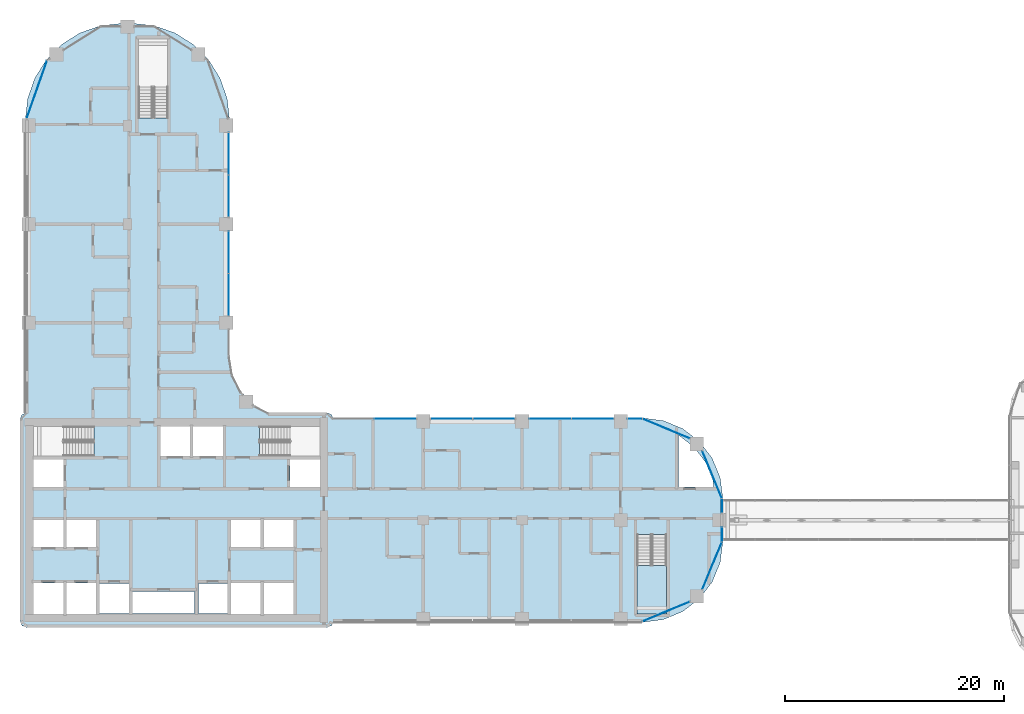
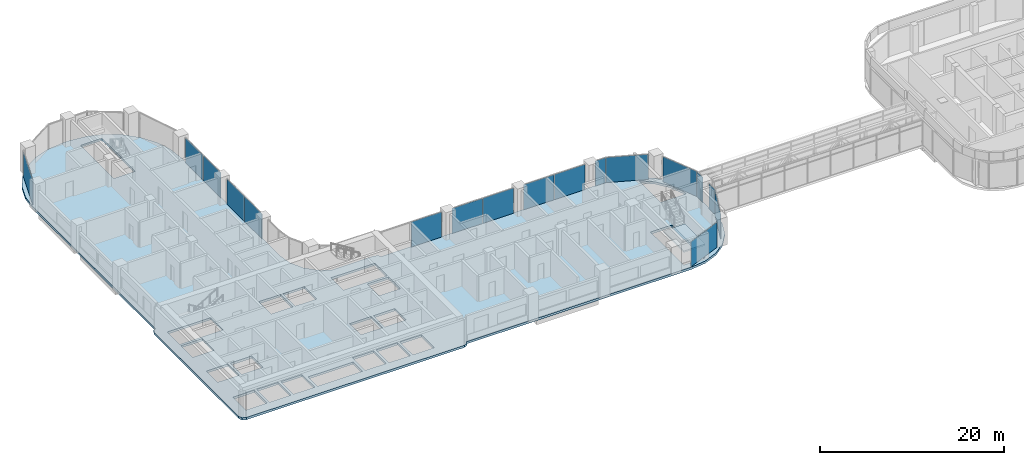
# One storey, part 14 of 33: 17 plates, 2 slabs, 14 elements without a shape of their own.
"""IFC4 building model written with IfcOpenShell, lengths in metres."""

from ifc_helpers import new_model, si_unit, direction, frame, origin, origin_2d, place, context, subcontext, project, spatial, polyline, rectangle, outline, extrude, material, layer, layer_set, type_object, element, aggregate, save


model = new_model("IFC4")

# Units and contexts
model_context = context("Model", 3, precision=1e-05, world=origin(), true_north=direction((0.0, 1.0)))
body_context = subcontext(model_context, "Body", "Model", "MODEL_VIEW")
ifc_project = project(units=[si_unit("LENGTHUNIT", "METRE"), si_unit("AREAUNIT", "SQUARE_METRE"), si_unit("VOLUMEUNIT", "CUBIC_METRE"), si_unit("PLANEANGLEUNIT", "RADIAN"), si_unit("MASSUNIT", "GRAM", prefix="KILO")], contexts=[model_context])

# Site, building, storey
site_placement = place(None, origin())
site = spatial("IfcSite", under=ifc_project, at=site_placement, CompositionType="ELEMENT")
building_placement = place(site_placement, origin())
building = spatial("IfcBuilding", under=site, at=building_placement, Name="Ogive Portal Towers", CompositionType="ELEMENT")
storey_placement = place(building_placement, frame((0.0, 0.0, 101.89990234375)))
storey = spatial("IfcBuildingStorey", under=building, at=storey_placement, Name="L24", CompositionType="ELEMENT", Elevation=101.89990234375)

# Curtain wall, plates
ifc_material_1 = material(Name="Glass, clear low-iron insulated glazing", Category="glass")
curtain_wall_type = type_object("IfcCurtainWallType", Name="CW FRONT RIBBON 4500", PredefinedType="NOTDEFINED", material=ifc_material_1)
curtain_wall_1_placement = place(storey_placement, origin())
curtain_wall_1 = element("IfcCurtainWall", 1, at=curtain_wall_1_placement, inside=storey, type_object=curtain_wall_type, Name="A:L24:f06:cw0~1", PredefinedType="NOTDEFINED")
ifc_layer_1 = layer(ifc_material_1, 0.028076171875)
ifc_layer_set_1 = layer_set([ifc_layer_1], Name="CW PANEL IGU 28")
plate_type = type_object("IfcPlateType", Name="CW PANEL IGU 28", PredefinedType="CURTAIN_PANEL", material=ifc_layer_set_1)
plate_1_placement = place(storey_placement, frame((49.739990234375, 51.0625, 0.0), z_axis=(0.0, 0.0, 1.0), x_axis=(0.0, 1.0, 0.0)))
plate_1 = element("IfcPlate", 2, at=plate_1_placement, type_object=plate_type, Name="panel", PredefinedType="CURTAIN_PANEL", context=body_context, shape_type="SweptSolid", body=[
    extrude(rectangle(XDim=3.81494140625, YDim=0.028076171875, at=origin_2d()), origin(), (0.0, 0.0, 1.0), 3.340087890625),
])
plate_2_placement = place(storey_placement, frame((49.739990234375, 54.9375, 0.0), z_axis=(0.0, 0.0, 1.0), x_axis=(0.0, 1.0, 0.0)))
plate_2 = element("IfcPlate", 3, at=plate_2_placement, type_object=plate_type, Name="panel", PredefinedType="CURTAIN_PANEL", context=body_context, shape_type="SweptSolid", body=[
    extrude(rectangle(XDim=3.81494140625, YDim=0.028076171875, at=origin_2d()), origin(), (0.0, 0.0, 1.0), 3.340087890625),
])
aggregate(curtain_wall_1, [plate_1, plate_2])

curtain_wall_2_placement = place(storey_placement, origin())
curtain_wall_2 = element("IfcCurtainWall", 4, at=curtain_wall_2_placement, inside=storey, type_object=curtain_wall_type, Name="A:L24:f06:cw0~2", PredefinedType="NOTDEFINED")
plate_3_placement = place(storey_placement, frame((49.739990234375, 60.0625, 0.0), z_axis=(0.0, 0.0, 1.0), x_axis=(0.0, 1.0, 0.0)))
plate_3 = element("IfcPlate", 5, at=plate_3_placement, type_object=plate_type, Name="panel", PredefinedType="CURTAIN_PANEL", context=body_context, shape_type="SweptSolid", body=[
    extrude(rectangle(XDim=3.81494140625, YDim=0.028076171875, at=origin_2d()), origin(), (0.0, 0.0, 1.0), 3.340087890625),
])
plate_4_placement = place(storey_placement, frame((49.739990234375, 63.9375, 0.0), z_axis=(0.0, 0.0, 1.0), x_axis=(0.0, 1.0, 0.0)))
plate_4 = element("IfcPlate", 6, at=plate_4_placement, type_object=plate_type, Name="panel", PredefinedType="CURTAIN_PANEL", context=body_context, shape_type="SweptSolid", body=[
    extrude(rectangle(XDim=3.81494140625, YDim=0.028076171875, at=origin_2d()), origin(), (0.0, 0.0, 1.0), 3.340087890625),
])
aggregate(curtain_wall_2, [plate_3, plate_4])

# Curtain wall, plate
curtain_wall_3_placement = place(storey_placement, origin())
curtain_wall_3 = element("IfcCurtainWall", 7, at=curtain_wall_3_placement, inside=storey, type_object=curtain_wall_type, Name="A:L24:f23:cw0~0", PredefinedType="NOTDEFINED")
plate_5_placement = place(storey_placement, frame((94.739990234375, 29.195556640625, 0.0), z_axis=(0.0, 0.0, 1.0), x_axis=(0.0, 1.0, 0.0)))
plate_5 = element("IfcPlate", 8, at=plate_5_placement, type_object=plate_type, Name="panel", PredefinedType="CURTAIN_PANEL", context=body_context, shape_type="SweptSolid", body=[
    extrude(rectangle(XDim=1.299072265625, YDim=0.028076171875, at=origin_2d()), origin(), (0.0, 0.0, 1.0), 3.340087890625),
])
aggregate(curtain_wall_3, [plate_5])

curtain_wall_4_placement = place(storey_placement, origin())
curtain_wall_4 = element("IfcCurtainWall", 9, at=curtain_wall_4_placement, inside=storey, type_object=curtain_wall_type, Name="A:L24:f23:cw0~1", PredefinedType="NOTDEFINED")
plate_6_placement = place(storey_placement, frame((94.739990234375, 31.804443359375, 0.0), z_axis=(0.0, 0.0, 1.0), x_axis=(0.0, 1.0, 0.0)))
plate_6 = element("IfcPlate", 10, at=plate_6_placement, type_object=plate_type, Name="panel", PredefinedType="CURTAIN_PANEL", context=body_context, shape_type="SweptSolid", body=[
    extrude(rectangle(XDim=1.299072265625, YDim=0.028076171875, at=origin_2d()), origin(), (0.0, 0.0, 1.0), 3.340087890625),
])
aggregate(curtain_wall_4, [plate_6])

curtain_wall_5_placement = place(storey_placement, origin())
curtain_wall_5 = element("IfcCurtainWall", 11, at=curtain_wall_5_placement, inside=storey, type_object=curtain_wall_type, Name="A:L24:f26:cw0~0", PredefinedType="NOTDEFINED")
plate_7_placement = place(storey_placement, frame((86.804443359375, 39.739990234375, 0.0), z_axis=(0.0, 0.0, 1.0), x_axis=(-1.0, 0.0, 0.0)))
plate_7 = element("IfcPlate", 12, at=plate_7_placement, type_object=plate_type, Name="panel", PredefinedType="CURTAIN_PANEL", context=body_context, shape_type="SweptSolid", body=[
    extrude(rectangle(XDim=1.299072265625, YDim=0.028076171875, at=origin_2d()), origin(), (0.0, 0.0, 1.0), 3.340087890625),
])
aggregate(curtain_wall_5, [plate_7])

# Curtain wall, plates
curtain_wall_6_placement = place(storey_placement, origin())
curtain_wall_6 = element("IfcCurtainWall", 13, at=curtain_wall_6_placement, inside=storey, type_object=curtain_wall_type, Name="A:L24:f26:cw0~1", PredefinedType="NOTDEFINED")
plate_8_placement = place(storey_placement, frame((82.9375, 39.739990234375, 0.0), z_axis=(0.0, 0.0, 1.0), x_axis=(-1.0, 0.0, 0.0)))
plate_8 = element("IfcPlate", 14, at=plate_8_placement, type_object=plate_type, Name="panel", PredefinedType="CURTAIN_PANEL", context=body_context, shape_type="SweptSolid", body=[
    extrude(rectangle(XDim=3.81494140625, YDim=0.028076171875, at=origin_2d()), origin(), (0.0, 0.0, 1.0), 3.340087890625),
])
plate_9_placement = place(storey_placement, frame((79.0625, 39.739990234375, 0.0), z_axis=(0.0, 0.0, 1.0), x_axis=(-1.0, 0.0, 0.0)))
plate_9 = element("IfcPlate", 15, at=plate_9_placement, type_object=plate_type, Name="panel", PredefinedType="CURTAIN_PANEL", context=body_context, shape_type="SweptSolid", body=[
    extrude(rectangle(XDim=3.81494140625, YDim=0.028076171875, at=origin_2d()), origin(), (0.0, 0.0, 1.0), 3.340087890625),
])
aggregate(curtain_wall_6, [plate_8, plate_9])

curtain_wall_7_placement = place(storey_placement, origin())
curtain_wall_7 = element("IfcCurtainWall", 16, at=curtain_wall_7_placement, inside=storey, type_object=curtain_wall_type, Name="A:L24:f26:cw0~2", PredefinedType="NOTDEFINED")
plate_10_placement = place(storey_placement, frame((73.9375, 39.739990234375, 0.0), z_axis=(0.0, 0.0, 1.0), x_axis=(-1.0, 0.0, 0.0)))
plate_10 = element("IfcPlate", 17, at=plate_10_placement, type_object=plate_type, Name="panel", PredefinedType="CURTAIN_PANEL", context=body_context, shape_type="SweptSolid", body=[
    extrude(rectangle(XDim=3.81494140625, YDim=0.028076171875, at=origin_2d()), origin(), (0.0, 0.0, 1.0), 3.340087890625),
])
plate_11_placement = place(storey_placement, frame((70.0625, 39.739990234375, 0.0), z_axis=(0.0, 0.0, 1.0), x_axis=(-1.0, 0.0, 0.0)))
plate_11 = element("IfcPlate", 18, at=plate_11_placement, type_object=plate_type, Name="panel", PredefinedType="CURTAIN_PANEL", context=body_context, shape_type="SweptSolid", body=[
    extrude(rectangle(XDim=3.81494140625, YDim=0.028076171875, at=origin_2d()), origin(), (0.0, 0.0, 1.0), 3.340087890625),
])
aggregate(curtain_wall_7, [plate_10, plate_11])

# Curtain wall, plate
curtain_wall_8_placement = place(storey_placement, origin())
curtain_wall_8 = element("IfcCurtainWall", 19, at=curtain_wall_8_placement, inside=storey, type_object=curtain_wall_type, Name="A:L24:f26:cw0~3", PredefinedType="NOTDEFINED")
plate_12_placement = place(storey_placement, frame((64.9375, 39.739990234375, 0.0), z_axis=(0.0, 0.0, 1.0), x_axis=(-1.0, 0.0, 0.0)))
plate_12 = element("IfcPlate", 20, at=plate_12_placement, type_object=plate_type, Name="panel", PredefinedType="CURTAIN_PANEL", context=body_context, shape_type="SweptSolid", body=[
    extrude(rectangle(XDim=3.81494140625, YDim=0.028076171875, at=origin_2d()), origin(), (0.0, 0.0, 1.0), 3.340087890625),
])
aggregate(curtain_wall_8, [plate_12])

curtain_wall_9_placement = place(storey_placement, origin())
curtain_wall_9 = element("IfcCurtainWall", 21, at=curtain_wall_9_placement, inside=storey, type_object=curtain_wall_type, Name="A:L24:f07:cwa~3", PredefinedType="NOTDEFINED")
plate_13_placement = place(storey_placement, frame((32.239501953125, 69.78564453125, 0.0), z_axis=(0.0, 0.0, 1.0), x_axis=(-0.33027906196, -0.943883330307, 0.0)))
plate_13 = element("IfcPlate", 22, at=plate_13_placement, type_object=plate_type, Name="panel", PredefinedType="CURTAIN_PANEL", context=body_context, shape_type="SweptSolid", body=[
    extrude(rectangle(XDim=5.57763671875, YDim=0.028076171875, at=origin_2d()), origin(), (0.0, 0.0, 1.0), 3.340087890625),
])
aggregate(curtain_wall_9, [plate_13])

curtain_wall_10_placement = place(storey_placement, origin())
curtain_wall_10 = element("IfcCurtainWall", 23, at=curtain_wall_10_placement, inside=storey, type_object=curtain_wall_type, Name="A:L24:f21:cwa~0", PredefinedType="NOTDEFINED")
plate_14_placement = place(storey_placement, frame((89.654541015625, 22.158935546875, 0.0), z_axis=(0.0, 0.0, 1.0), x_axis=(0.923879532511, 0.382683432365, 0.0)))
plate_14 = element("IfcPlate", 24, at=plate_14_placement, type_object=plate_type, Name="panel", PredefinedType="CURTAIN_PANEL", context=body_context, shape_type="SweptSolid", body=[
    extrude(rectangle(XDim=4.638671875, YDim=0.028076171875, at=origin_2d()), origin(), (0.0, 0.0, 1.0), 3.340087890625),
])
aggregate(curtain_wall_10, [plate_14])

curtain_wall_11_placement = place(storey_placement, origin())
curtain_wall_11 = element("IfcCurtainWall", 25, at=curtain_wall_11_placement, inside=storey, type_object=curtain_wall_type, Name="A:L24:f21:cwa~1", PredefinedType="NOTDEFINED")
plate_15_placement = place(storey_placement, frame((93.841064453125, 26.345458984375, 0.0), z_axis=(0.0, 0.0, 1.0), x_axis=(0.382683432365, 0.923879532511, 0.0)))
plate_15 = element("IfcPlate", 26, at=plate_15_placement, type_object=plate_type, Name="panel", PredefinedType="CURTAIN_PANEL", context=body_context, shape_type="SweptSolid", body=[
    extrude(rectangle(XDim=4.638671875, YDim=0.028076171875, at=origin_2d()), origin(), (0.0, 0.0, 1.0), 3.340087890625),
])
aggregate(curtain_wall_11, [plate_15])

curtain_wall_12_placement = place(storey_placement, origin())
curtain_wall_12 = element("IfcCurtainWall", 27, at=curtain_wall_12_placement, inside=storey, type_object=curtain_wall_type, Name="A:L24:f24:cwa~0", PredefinedType="NOTDEFINED")
plate_16_placement = place(storey_placement, frame((93.841064453125, 34.654541015625, 0.0), z_axis=(0.0, 0.0, 1.0), x_axis=(-0.382683432365, 0.923879532511, 0.0)))
plate_16 = element("IfcPlate", 28, at=plate_16_placement, type_object=plate_type, Name="panel", PredefinedType="CURTAIN_PANEL", context=body_context, shape_type="SweptSolid", body=[
    extrude(rectangle(XDim=4.638671875, YDim=0.028076171875, at=origin_2d()), origin(), (0.0, 0.0, 1.0), 3.340087890625),
])
aggregate(curtain_wall_12, [plate_16])

curtain_wall_13_placement = place(storey_placement, origin())
curtain_wall_13 = element("IfcCurtainWall", 29, at=curtain_wall_13_placement, inside=storey, type_object=curtain_wall_type, Name="A:L24:f24:cwa~1", PredefinedType="NOTDEFINED")
plate_17_placement = place(storey_placement, frame((89.654541015625, 38.841064453125, 0.0), z_axis=(0.0, 0.0, 1.0), x_axis=(-0.923879532511, 0.382683432365, 0.0)))
plate_17 = element("IfcPlate", 30, at=plate_17_placement, type_object=plate_type, Name="panel", PredefinedType="CURTAIN_PANEL", context=body_context, shape_type="SweptSolid", body=[
    extrude(rectangle(XDim=4.638671875, YDim=0.028076171875, at=origin_2d()), origin(), (0.0, 0.0, 1.0), 3.340087890625),
])
aggregate(curtain_wall_13, [plate_17])

# Stair, slab
ifc_material_2 = material(Name="Concrete C40/50", Category="concrete")
stair_type = type_object("IfcStairType", Name="INT-STAIR", PredefinedType="HALF_TURN_STAIR", material=ifc_material_2)
stair_placement = place(storey_placement, origin())
stair = element("IfcStair", 31, at=stair_placement, inside=storey, type_object=stair_type, Name="L24 Exit Stair ST-A4", PredefinedType="HALF_TURN_STAIR")
ifc_layer_2 = layer(ifc_material_2, 0.199951171875)
ifc_layer_set_2 = layer_set([ifc_layer_2], Name="INT-LANDING")
slab_type_1 = type_object("IfcSlabType", Name="INT-LANDING", PredefinedType="LANDING", material=ifc_layer_set_2)
slab_1_placement = place(storey_placement, frame((0.0, 0.0, 1.650146484375)))
slab_1 = element("IfcSlab", 32, at=slab_1_placement, type_object=slab_type_1, Name="ST-A4 landing 1", PredefinedType="LANDING", context=body_context, shape_type="SweptSolid", body=[
    extrude(outline(polyline([(87.0, 26.3701171875), (87.0, 21.949951171875), (89.699951171875, 21.949951171875), (89.699951171875, 26.3701171875), (87.0, 26.3701171875)])), origin(), (0.0, 0.0, 1.0), 0.199951171875),
])
aggregate(stair, [slab_1])

# Slab
ifc_material_3 = material(Name="Concrete C45/55", Category="concrete")
ifc_layer_3 = layer(ifc_material_3, 0.300048828125)
ifc_layer_set_3 = layer_set([ifc_layer_3], Name="PT FLAT PLATE 300")
slab_type_2 = type_object("IfcSlabType", Name="PT FLAT PLATE 300", PredefinedType="FLOOR", material=ifc_layer_set_3)
slab_2_placement = place(storey_placement, frame((0.0, 0.0, -0.2998046875)))
element("IfcSlab", 33, at=slab_2_placement, inside=storey, type_object=slab_type_2, Name="Floor slab L24", PredefinedType="FLOOR", context=body_context, shape_type="SweptSolid", body=[
    extrude(outline(polyline([(89.39453125, 39.570556640625), (87.5, 39.820068359375), (59.250244140625, 39.820068359375), (59.124267578125, 40.124267578125), (58.699951171875, 40.300048828125), (53.348388671875, 40.300048828125), (52.161376953125, 40.90478515625), (50.90478515625, 42.161376953125), (50.097900390625, 43.744873046875), (49.820068359375, 45.5), (49.820068359375, 67.0), (49.598876953125, 68.962646484375), (48.946533203125, 70.826904296875), (47.895751953125, 72.499267578125), (46.499267578125, 73.895751953125), (44.826904296875, 74.946533203125), (42.962646484375, 75.598876953125), (41.0, 75.820068359375), (40.0, 75.820068359375), (38.037353515625, 75.598876953125), (36.173095703125, 74.946533203125), (34.500732421875, 73.895751953125), (33.104248046875, 72.499267578125), (32.053466796875, 70.826904296875), (31.401123046875, 68.962646484375), (31.179931640625, 67.0), (31.179931640625, 40.250244140625), (30.875732421875, 40.124267578125), (30.699951171875, 39.699951171875), (30.699951171875, 21.300048828125), (30.875732421875, 20.875732421875), (31.300048828125, 20.699951171875), (58.699951171875, 20.699951171875), (59.124267578125, 20.875732421875), (59.250244140625, 21.179931640625), (87.5, 21.179931640625), (89.39453125, 21.429443359375), (91.159912109375, 22.16064453125), (92.676025390625, 23.323974609375), (93.83935546875, 24.840087890625), (94.570556640625, 26.60546875), (94.820068359375, 28.5), (94.820068359375, 32.5), (94.570556640625, 34.39453125), (93.83935546875, 36.159912109375), (92.676025390625, 37.676025390625), (91.159912109375, 38.83935546875), (89.39453125, 39.570556640625)]), holes=[polyline([(46.6298828125, 21.969970703125), (40.969970703125, 21.969970703125), (40.969970703125, 24.0029296875), (46.6298828125, 24.0029296875), (46.6298828125, 21.969970703125)]), polyline([(34.64990234375, 24.75), (34.64990234375, 21.949951171875), (31.949951171875, 21.949951171875), (31.949951171875, 24.75), (34.64990234375, 24.75)]), polyline([(37.64990234375, 24.75), (37.64990234375, 21.949951171875), (34.949951171875, 21.949951171875), (34.949951171875, 24.75), (37.64990234375, 24.75)]), polyline([(37.969970703125, 21.969970703125), (37.969970703125, 24.72998046875), (40.6298828125, 24.72998046875), (40.6298828125, 21.969970703125), (37.969970703125, 21.969970703125)]), polyline([(34.64990234375, 28.050048828125), (31.949951171875, 28.050048828125), (31.949951171875, 30.5), (34.64990234375, 30.5), (34.64990234375, 28.050048828125)]), polyline([(37.64990234375, 30.5), (37.64990234375, 28.050048828125), (34.949951171875, 28.050048828125), (34.949951171875, 30.5), (37.64990234375, 30.5)]), polyline([(34.64990234375, 33.5), (31.949951171875, 33.5), (31.949951171875, 36.050048828125), (34.64990234375, 36.050048828125), (34.64990234375, 33.5)]), polyline([(37.447998046875, 39.048095703125), (37.447998046875, 36.35205078125), (31.951904296875, 36.35205078125), (31.951904296875, 39.048095703125), (37.447998046875, 39.048095703125)]), polyline([(46.199951171875, 39.050048828125), (46.199951171875, 36.35009765625), (43.5, 36.35009765625), (43.5, 39.050048828125), (46.199951171875, 39.050048828125)]), polyline([(49.199951171875, 36.35009765625), (46.5, 36.35009765625), (46.5, 39.050048828125), (49.199951171875, 39.050048828125), (49.199951171875, 36.35009765625)]), polyline([(44.197998046875, 67.201904296875), (41.501953125, 67.201904296875), (41.501953125, 74.447998046875), (44.197998046875, 74.447998046875), (44.197998046875, 67.201904296875)]), polyline([(49.6298828125, 21.969970703125), (46.969970703125, 21.969970703125), (46.969970703125, 24.72998046875), (49.6298828125, 24.72998046875), (49.6298828125, 21.969970703125)]), polyline([(52.64990234375, 24.75), (52.64990234375, 21.949951171875), (49.949951171875, 21.949951171875), (49.949951171875, 24.75), (52.64990234375, 24.75)]), polyline([(55.64990234375, 21.949951171875), (52.949951171875, 21.949951171875), (52.949951171875, 24.75), (55.64990234375, 24.75), (55.64990234375, 21.949951171875)]), polyline([(87.001953125, 29.16796875), (89.697998046875, 29.16796875), (89.697998046875, 21.951904296875), (87.001953125, 21.951904296875), (87.001953125, 29.16796875)]), polyline([(52.64990234375, 30.5), (52.64990234375, 28.050048828125), (49.949951171875, 28.050048828125), (49.949951171875, 30.5), (52.64990234375, 30.5)]), polyline([(55.64990234375, 28.050048828125), (52.949951171875, 28.050048828125), (52.949951171875, 30.5), (55.64990234375, 30.5), (55.64990234375, 28.050048828125)]), polyline([(58.050048828125, 36.050048828125), (58.050048828125, 33.5), (55.35009765625, 33.5), (55.35009765625, 36.050048828125), (58.050048828125, 36.050048828125)]), polyline([(93.227783203125, 35.806884765625), (93.888671875, 34.2119140625), (93.979736328125, 33.52001953125), (90.77001953125, 33.52001953125), (90.77001953125, 38.2431640625), (90.806884765625, 38.227783203125), (92.1767578125, 37.1767578125), (93.227783203125, 35.806884765625)]), polyline([(52.552001953125, 36.35205078125), (52.552001953125, 39.048095703125), (58.048095703125, 39.048095703125), (58.048095703125, 36.35205078125), (52.552001953125, 36.35205078125)])]), origin(), (0.0, 0.0, 1.0), 0.2998046875),
])

save(model, "model.ifc")
